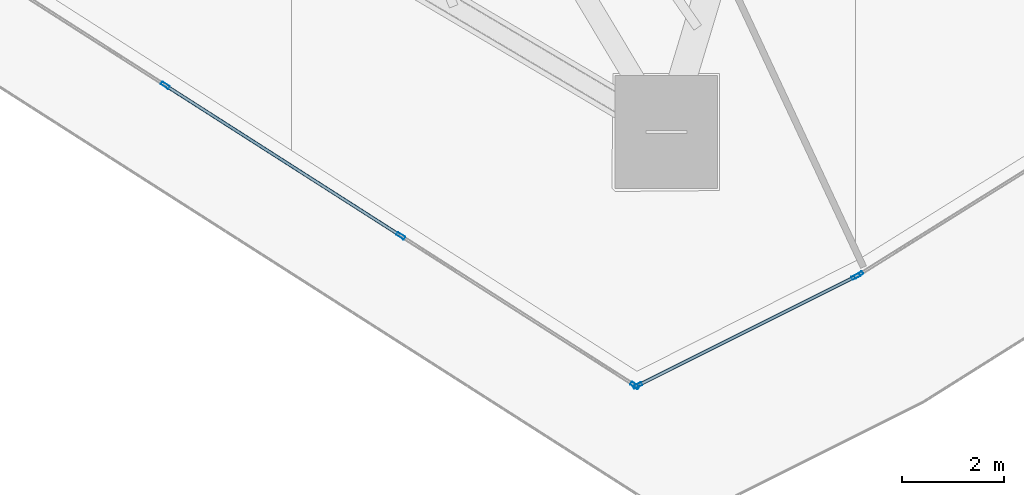
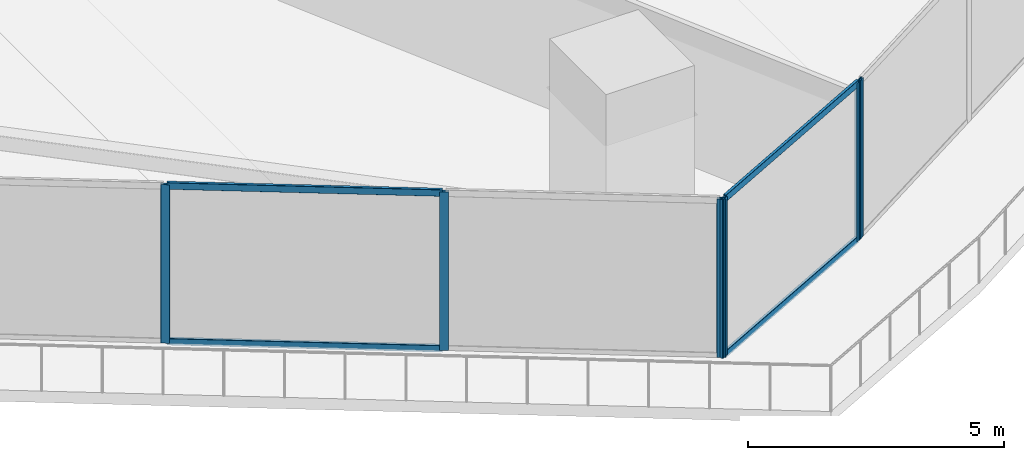
# One storey, part 7 of 40: 10 members, 3 elements without a shape of their own.
"""IFC4 building model written with IfcOpenShell, lengths in metres."""

import ifcopenshell
import ifcopenshell.guid

model = None  # the IFC model being written
_history = None  # IfcOwnerHistory: only IFC2X3 demands one
_inside = {}  # id of a spatial element -> (the spatial element, [elements in it])
_under = {}  # id of a project, library or spatial element -> (it, [spatial elements below it])
_declared = {}  # id of a project -> (the project, [libraries it declares])
_typed = {}  # id of a type object -> (the type object, [elements of that type])
_made_of = {}  # id of a material, layer set ... -> (it, [elements and type objects made of it])


def new_model(schema):
    """Start an empty IFC model of exactly this schema.

    Asked for "IFC4X3", IfcOpenShell would pick the latest addendum, in which some entities
    have other attributes; the version numbers below select the first issue.
    IFC2X3 requires an IfcOwnerHistory on every rooted entity: one is made here for all.
    """
    global model, _history
    if schema == "IFC4X3":
        model = ifcopenshell.file(schema_version=(4, 3, 0, 0))
    else:
        model = ifcopenshell.file(schema=schema)
    _inside.clear()
    _under.clear()
    _declared.clear()
    _typed.clear()
    _made_of.clear()
    _history = None
    if model.schema == "IFC2X3":
        org = make("IfcOrganization", Name="unknown")
        user = make(
            "IfcPersonAndOrganization",
            ThePerson=make("IfcPerson", FamilyName="unknown"),
            TheOrganization=org,
        )
        app = make(
            "IfcApplication",
            ApplicationDeveloper=org,
            Version="unknown",
            ApplicationFullName="unknown",
            ApplicationIdentifier="unknown",
        )
        _history = make(
            "IfcOwnerHistory",
            OwningUser=user,
            OwningApplication=app,
            ChangeAction="ADDED",
            CreationDate=0,
        )
    return model


def make(cls, **values):
    """One entity of the class cls with the attributes given. An attribute that is None is left unset."""
    return model.create_entity(
        cls, **{name: value for name, value in values.items() if value is not None}
    )


def rooted(cls, **values):
    """An entity with a GlobalId (a new one), such as an element, a storey or a relation."""
    return make(cls, GlobalId=ifcopenshell.guid.new(), OwnerHistory=_history, **values)


def si_unit(unit_type, name, prefix=None):
    """IfcSIUnit, for example si_unit("LENGTHUNIT", "METRE", prefix="MILLI")."""
    return make("IfcSIUnit", UnitType=unit_type, Prefix=prefix, Name=name)


def assignment(units):
    """IfcUnitAssignment: the units of a project."""
    return None if units is None else make("IfcUnitAssignment", Units=units)


def point(xyz):
    """IfcCartesianPoint."""
    return None if xyz is None else make("IfcCartesianPoint", Coordinates=xyz)


def direction(xyz):
    """IfcDirection."""
    return None if xyz is None else make("IfcDirection", DirectionRatios=xyz)


def frame(location, z_axis=None, x_axis=None):
    """IfcAxis2Placement3D, a coordinate frame: its origin and axes. An axis left out is left unset."""
    return make(
        "IfcAxis2Placement3D",
        Location=point(location),
        Axis=direction(z_axis),
        RefDirection=direction(x_axis),
    )


def frame_2d(location, x_axis=None):
    """IfcAxis2Placement2D, a coordinate frame in the plane: its origin and x axis."""
    return make(
        "IfcAxis2Placement2D", Location=point(location), RefDirection=direction(x_axis)
    )


def origin():
    """The frame at (0, 0, 0) with its axes left unset."""
    return frame((0.0, 0.0, 0.0))


def origin_2d():
    """The frame at (0, 0) in the plane with its x axis left unset."""
    return frame_2d((0.0, 0.0))


def place(relative_to, where):
    """IfcLocalPlacement: puts the frame where relative to a parent placement (None: the world)."""
    return make(
        "IfcLocalPlacement", PlacementRelTo=relative_to, RelativePlacement=where
    )


def context(
    kind, dimensions, precision=None, world=None, true_north=None, identifier=None
):
    """IfcGeometricRepresentationContext, for example the 3D "Model" context."""
    return make(
        "IfcGeometricRepresentationContext",
        ContextIdentifier=identifier,
        ContextType=kind,
        CoordinateSpaceDimension=dimensions,
        Precision=precision,
        WorldCoordinateSystem=world,
        TrueNorth=true_north,
    )


def subcontext(parent, identifier, kind, view, scale=None):
    """IfcGeometricRepresentationSubContext, for example "Body" below "Model"."""
    return make(
        "IfcGeometricRepresentationSubContext",
        ContextIdentifier=identifier,
        ContextType=kind,
        ParentContext=parent,
        TargetScale=scale,
        TargetView=view,
    )


def project(units=None, contexts=None):
    """IfcProject with its units and contexts."""
    return rooted(
        "IfcProject",
        Name="project",
        RepresentationContexts=contexts,
        UnitsInContext=assignment(units),
    )


def spatial(cls, under=None, at=None, **own):
    """A site, building, storey or space (cls), placed at a placement, below another one or the project."""
    s = rooted(cls, ObjectPlacement=at, **own)
    if under is not None:
        _under.setdefault(under.id(), (under, []))[1].append(s)
    return s


def profile(cls, at=None, kind="AREA", **sizes):
    """A parametric profile (cls). Its sizes go by their IFC names, for example OverallWidth=200.0."""
    return make(cls, ProfileType=kind, Position=at, **sizes)


def hollow_rectangle(**sizes):
    """IfcRectangleHollowProfileDef."""
    return profile("IfcRectangleHollowProfileDef", **sizes)


def extrude(swept, where, along, depth):
    """IfcExtrudedAreaSolid: the profile swept, set in the frame where, extruded along a direction by depth."""
    return make(
        "IfcExtrudedAreaSolid",
        SweptArea=swept,
        Position=where,
        ExtrudedDirection=direction(along),
        Depth=depth,
    )


def shape(context_of_items, identifier, shape_type, items):
    """IfcShapeRepresentation: the items that make up one representation, for example the "Body"."""
    return make(
        "IfcShapeRepresentation",
        ContextOfItems=context_of_items,
        RepresentationIdentifier=identifier,
        RepresentationType=shape_type,
        Items=items,
    )


def material(Name=None, Category=None):
    """IfcMaterial."""
    return make("IfcMaterial", Name=Name, Category=Category)


def layer(
    of_material, thickness, ventilated=None, Name=None, Category=None, Priority=None
):
    """IfcMaterialLayer: one layer of a wall or slab, of a material (None: an air gap)."""
    return make(
        "IfcMaterialLayer",
        Material=of_material,
        LayerThickness=thickness,
        IsVentilated=ventilated,
        Name=Name,
        Category=Category,
        Priority=Priority,
    )


def layer_set(layers, Name=None):
    """IfcMaterialLayerSet."""
    return make("IfcMaterialLayerSet", MaterialLayers=layers, LayerSetName=Name)


def material_profile(
    of_material, cross_section, Name=None, Category=None, Priority=None
):
    """IfcMaterialProfile: a cross section and its material."""
    return make(
        "IfcMaterialProfile",
        Name=Name,
        Material=of_material,
        Profile=cross_section,
        Priority=Priority,
        Category=Category,
    )


def profile_set(profiles, Name=None, composite=None):
    """IfcMaterialProfileSet."""
    return make(
        "IfcMaterialProfileSet",
        Name=Name,
        MaterialProfiles=profiles,
        CompositeProfile=composite,
    )


def made_of(thing, what):
    """Note that an element or type object is made of a material, layer set ...; save() writes the relation."""
    if what is not None:
        _made_of.setdefault(what.id(), (what, []))[1].append(thing)
    return thing


def type_object(cls, material=None, **own):
    """A type object (cls), such as IfcWallType, which elements share."""
    return made_of(rooted(cls, **own), material)


def element(
    cls,
    number,
    at=None,
    inside=None,
    cuts=None,
    type_object=None,
    material=None,
    context=None,
    identifier="Body",
    shape_type=None,
    held_by="IfcProductDefinitionShape",
    body=None,
    shapes=None,
    **own,
):
    """One element of the class cls, such as IfcWall. Its Tag is "e" and its number.

    at: its placement. inside: the storey or other place that contains it. cuts: it is an
    opening in that element (IfcRelVoidsElement). A single representation is given by context,
    identifier, shape_type and body (its items); several are given by shapes. held_by: the class
    of the entity that holds the representations. save() writes the other relations.
    """
    e = rooted(cls, Tag="e%d" % number, ObjectPlacement=at, **own)
    if body is not None:
        shapes = [shape(context, identifier, shape_type, body)]
    if shapes is not None:
        e.Representation = make(held_by, Representations=shapes)
    if inside is not None:
        _inside.setdefault(inside.id(), (inside, []))[1].append(e)
    if cuts is not None:
        rooted(
            "IfcRelVoidsElement", RelatingBuildingElement=cuts, RelatedOpeningElement=e
        )
    if type_object is not None:
        _typed.setdefault(type_object.id(), (type_object, []))[1].append(e)
    return made_of(e, material)


def aggregate(whole, parts):
    """IfcRelAggregates: a whole, such as a stair, and the parts it consists of."""
    return rooted("IfcRelAggregates", RelatingObject=whole, RelatedObjects=parts)


def save(model, path):
    """Write the relations noted so far, then the file.

    IfcRelAggregates (storeys below a building ...), IfcRelContainedInSpatialStructure (elements
    in a storey), IfcRelDefinesByType, IfcRelAssociatesMaterial and IfcRelDeclares: one each for
    every whole, place, type object, material and project.
    """
    for whole, parts in _under.values():
        aggregate(whole, parts)
    for where, things in _inside.values():
        rooted(
            "IfcRelContainedInSpatialStructure",
            RelatedElements=things,
            RelatingStructure=where,
        )
    for kind, things in _typed.values():
        rooted("IfcRelDefinesByType", RelatedObjects=things, RelatingType=kind)
    for what, things in _made_of.values():
        rooted("IfcRelAssociatesMaterial", RelatedObjects=things, RelatingMaterial=what)
    for by, libraries in _declared.values():
        rooted("IfcRelDeclares", RelatingContext=by, RelatedDefinitions=libraries)
    model.write(path)


model = new_model("IFC4")

# Units and contexts
model_context = context("Model", 3, precision=1e-05, world=origin(), true_north=direction((0.0, 1.0)))
body_context = subcontext(model_context, "Body", "Model", "MODEL_VIEW")
ifc_project = project(units=[si_unit("LENGTHUNIT", "METRE"), si_unit("AREAUNIT", "SQUARE_METRE"), si_unit("VOLUMEUNIT", "CUBIC_METRE"), si_unit("PLANEANGLEUNIT", "RADIAN"), si_unit("MASSUNIT", "GRAM", prefix="KILO")], contexts=[model_context])

# Site, building, storey
site_placement = place(None, origin())
site = spatial("IfcSite", under=ifc_project, at=site_placement, CompositionType="ELEMENT")
building_placement = place(site_placement, origin())
building = spatial("IfcBuilding", under=site, at=building_placement, Name="Qorvath Tower", CompositionType="ELEMENT")
storey_placement = place(building_placement, frame((0.0, 0.0, 138.14990234375)))
storey = spatial("IfcBuildingStorey", under=building, at=storey_placement, Name="L31", CompositionType="ELEMENT", Elevation=138.14990234375)

# Curtain wall, members
ifc_material_1 = material(Name="Anodised aluminium and triple low-E glass", Category="aluminium")
ifc_layer = layer(ifc_material_1, 0.179931640625)
ifc_layer_set = layer_set([ifc_layer], Name="CW-SYS-3")
curtain_wall_type = type_object("IfcCurtainWallType", Name="CW-SYS-3", PredefinedType="NOTDEFINED", material=ifc_layer_set)
curtain_wall_1_placement = place(storey_placement, origin())
curtain_wall_1 = element("IfcCurtainWall", 1, at=curtain_wall_1_placement, inside=storey, type_object=curtain_wall_type, Name="Curtain Wall CW-3 CW-T-L31-2.1", PredefinedType="NOTDEFINED")
ifc_material_2 = material(Name="Anodised aluminium 6063-T6", Category="aluminium")
ifc_material_profile_1 = material_profile(ifc_material_2, hollow_rectangle(XDim=0.06494140625, YDim=0.179931640625, WallThickness=0.00341796875, InnerFilletRadius=0.00341796875, OuterFilletRadius=0.007080078125, at=origin_2d()), Name="CWM 180x65")
ifc_profile_set_1 = profile_set([ifc_material_profile_1], Name="Anodised aluminium 6063-T6")
member_type_1 = type_object("IfcMemberType", Name="CWM-180", PredefinedType="MULLION", material=ifc_profile_set_1)
member_1_placement = place(storey_placement, frame((-25.12109375, -24.333740234375, 0.0), z_axis=(0.0, 0.0, 1.0), x_axis=(0.538534399095, 0.842603525385, 0.0)))
member_1 = element("IfcMember", 2, at=member_1_placement, type_object=member_type_1, Name="CW-3 mullion 8", PredefinedType="MULLION", context=body_context, shape_type="SweptSolid", body=[
    extrude(hollow_rectangle(XDim=0.06494140625, YDim=0.179931640625, WallThickness=0.00341796875, InnerFilletRadius=0.00341796875, OuterFilletRadius=0.007080078125, at=origin_2d()), origin(), (0.0, 0.0, 1.0), 3.780029296875),
])
member_2_placement = place(storey_placement, frame((-20.52587890625, -27.270751953125, 0.0), z_axis=(0.0, 0.0, 1.0), x_axis=(0.538534399095, 0.842603525385, 0.0)))
member_2 = element("IfcMember", 3, at=member_2_placement, type_object=member_type_1, Name="CW-3 mullion 9", PredefinedType="MULLION", context=body_context, shape_type="SweptSolid", body=[
    extrude(hollow_rectangle(XDim=0.06494140625, YDim=0.179931640625, WallThickness=0.00341796875, InnerFilletRadius=0.00341796875, OuterFilletRadius=0.007080078125, at=origin_2d()), origin(), (0.0, 0.0, 1.0), 3.780029296875),
])
member_3_placement = place(storey_placement, frame((-15.958251953125, -30.18994140625, 0.0), z_axis=(0.0, 0.0, 1.0), x_axis=(0.538534399095, 0.842603525385, 0.0)))
member_3 = element("IfcMember", 4, at=member_3_placement, type_object=member_type_1, Name="CW-3 mullion 10", PredefinedType="MULLION", context=body_context, shape_type="SweptSolid", body=[
    extrude(hollow_rectangle(XDim=0.06494140625, YDim=0.179931640625, WallThickness=0.00341796875, InnerFilletRadius=0.00341796875, OuterFilletRadius=0.007080078125, at=origin_2d()), origin(), (0.0, 0.0, 1.0), 3.780029296875),
])

curtain_wall_2_placement = place(storey_placement, origin())
curtain_wall_2 = element("IfcCurtainWall", 5, at=curtain_wall_2_placement, inside=storey, type_object=curtain_wall_type, Name="Curtain Wall CW-3 CW-T-L31-3.1", PredefinedType="NOTDEFINED")
member_4_placement = place(storey_placement, frame((-15.90185546875, -30.19287109375, 0.0), z_axis=(0.0, 0.0, 1.0), x_axis=(-0.447213595499, 0.894427191001, 0.0)))
member_4 = element("IfcMember", 6, at=member_4_placement, type_object=member_type_1, Name="CW-3 mullion 1", PredefinedType="MULLION", context=body_context, shape_type="SweptSolid", body=[
    extrude(hollow_rectangle(XDim=0.06494140625, YDim=0.179931640625, WallThickness=0.00341796875, InnerFilletRadius=0.00341796875, OuterFilletRadius=0.007080078125, at=origin_2d()), origin(), (0.0, 0.0, 1.0), 3.780029296875),
])
member_5_placement = place(storey_placement, frame((-11.64453125, -28.064453125, 0.0), z_axis=(0.0, 0.0, 1.0), x_axis=(-0.447213595499, 0.894427191001, 0.0)))
member_5 = element("IfcMember", 7, at=member_5_placement, type_object=member_type_1, Name="CW-3 mullion 2", PredefinedType="MULLION", context=body_context, shape_type="SweptSolid", body=[
    extrude(hollow_rectangle(XDim=0.06494140625, YDim=0.179931640625, WallThickness=0.00341796875, InnerFilletRadius=0.00341796875, OuterFilletRadius=0.007080078125, at=origin_2d()), origin(), (0.0, 0.0, 1.0), 3.780029296875),
])

# Curtain wall, member
curtain_wall_3_placement = place(storey_placement, origin())
curtain_wall_3 = element("IfcCurtainWall", 8, at=curtain_wall_3_placement, inside=storey, type_object=curtain_wall_type, Name="Curtain Wall CW-3 CW-T-L31-4.1", PredefinedType="NOTDEFINED")
member_6_placement = place(storey_placement, frame((-11.587890625, -28.03271484375, 0.0), z_axis=(0.0, 0.0, 1.0), x_axis=(-0.529439947431, 0.848347418258, 0.0)))
member_6 = element("IfcMember", 9, at=member_6_placement, type_object=member_type_1, Name="CW-3 mullion 1", PredefinedType="MULLION", context=body_context, shape_type="SweptSolid", body=[
    extrude(hollow_rectangle(XDim=0.06494140625, YDim=0.179931640625, WallThickness=0.00341796875, InnerFilletRadius=0.00341796875, OuterFilletRadius=0.007080078125, at=origin_2d()), origin(), (0.0, 0.0, 1.0), 3.780029296875),
])
aggregate(curtain_wall_3, [member_6])

# Member
ifc_material_3 = material(Name="Anodised aluminium 6063-T6", Category="aluminium")
ifc_material_profile_2 = material_profile(ifc_material_3, hollow_rectangle(XDim=0.06494140625, YDim=0.159912109375, WallThickness=0.00341796875, InnerFilletRadius=0.00341796875, OuterFilletRadius=0.007080078125, at=origin_2d()), Name="CWT 160x65")
ifc_profile_set_2 = profile_set([ifc_material_profile_2], Name="Anodised aluminium 6063-T6")
member_type_2 = type_object("IfcMemberType", Name="CWT-160", PredefinedType="USERDEFINED", material=ifc_profile_set_2)
member_7_placement = place(storey_placement, frame((-25.093505859375, -24.351318359375, 0.032470703125), z_axis=(0.842602030071, -0.538536738691, 0.0), x_axis=(0.538536738691, 0.842602030071, 0.0)))
member_7 = element("IfcMember", 10, at=member_7_placement, type_object=member_type_2, Name="CW-3 transom 8.1", ObjectType="TRANSOM", PredefinedType="USERDEFINED", context=body_context, shape_type="SweptSolid", body=[
    extrude(hollow_rectangle(XDim=0.06494140625, YDim=0.159912109375, WallThickness=0.00341796875, InnerFilletRadius=0.00341796875, OuterFilletRadius=0.007080078125, at=origin_2d()), origin(), (0.0, 0.0, 1.0), 5.388427734375),
])

member_8_placement = place(storey_placement, frame((-25.093505859375, -24.351318359375, 3.74755859375), z_axis=(0.842602030071, -0.538536738691, 0.0), x_axis=(0.538536738691, 0.842602030071, 0.0)))
member_8 = element("IfcMember", 11, at=member_8_placement, type_object=member_type_2, Name="CW-3 transom 8.2", ObjectType="TRANSOM", PredefinedType="USERDEFINED", context=body_context, shape_type="SweptSolid", body=[
    extrude(hollow_rectangle(XDim=0.06494140625, YDim=0.159912109375, WallThickness=0.00341796875, InnerFilletRadius=0.00341796875, OuterFilletRadius=0.007080078125, at=origin_2d()), origin(), (0.0, 0.0, 1.0), 5.388427734375),
])

aggregate(curtain_wall_1, [member_1, member_2, member_3, member_7, member_8])

member_9_placement = place(storey_placement, frame((-15.872802734375, -30.178466796875, 0.032470703125), z_axis=(0.894427191, 0.4472135955, 0.0), x_axis=(-0.4472135955, 0.894427191, 0.0)))
member_9 = element("IfcMember", 12, at=member_9_placement, type_object=member_type_2, Name="CW-3 transom 1.1", ObjectType="TRANSOM", PredefinedType="USERDEFINED", context=body_context, shape_type="SweptSolid", body=[
    extrude(hollow_rectangle(XDim=0.06494140625, YDim=0.159912109375, WallThickness=0.00341796875, InnerFilletRadius=0.00341796875, OuterFilletRadius=0.007080078125, at=origin_2d()), origin(), (0.0, 0.0, 1.0), 4.69482421875),
])

member_10_placement = place(storey_placement, frame((-15.872802734375, -30.178466796875, 3.74755859375), z_axis=(0.894427191, 0.4472135955, 0.0), x_axis=(-0.4472135955, 0.894427191, 0.0)))
member_10 = element("IfcMember", 13, at=member_10_placement, type_object=member_type_2, Name="CW-3 transom 1.2", ObjectType="TRANSOM", PredefinedType="USERDEFINED", context=body_context, shape_type="SweptSolid", body=[
    extrude(hollow_rectangle(XDim=0.06494140625, YDim=0.159912109375, WallThickness=0.00341796875, InnerFilletRadius=0.00341796875, OuterFilletRadius=0.007080078125, at=origin_2d()), origin(), (0.0, 0.0, 1.0), 4.69482421875),
])

aggregate(curtain_wall_2, [member_4, member_5, member_9, member_10])

save(model, "model.ifc")
